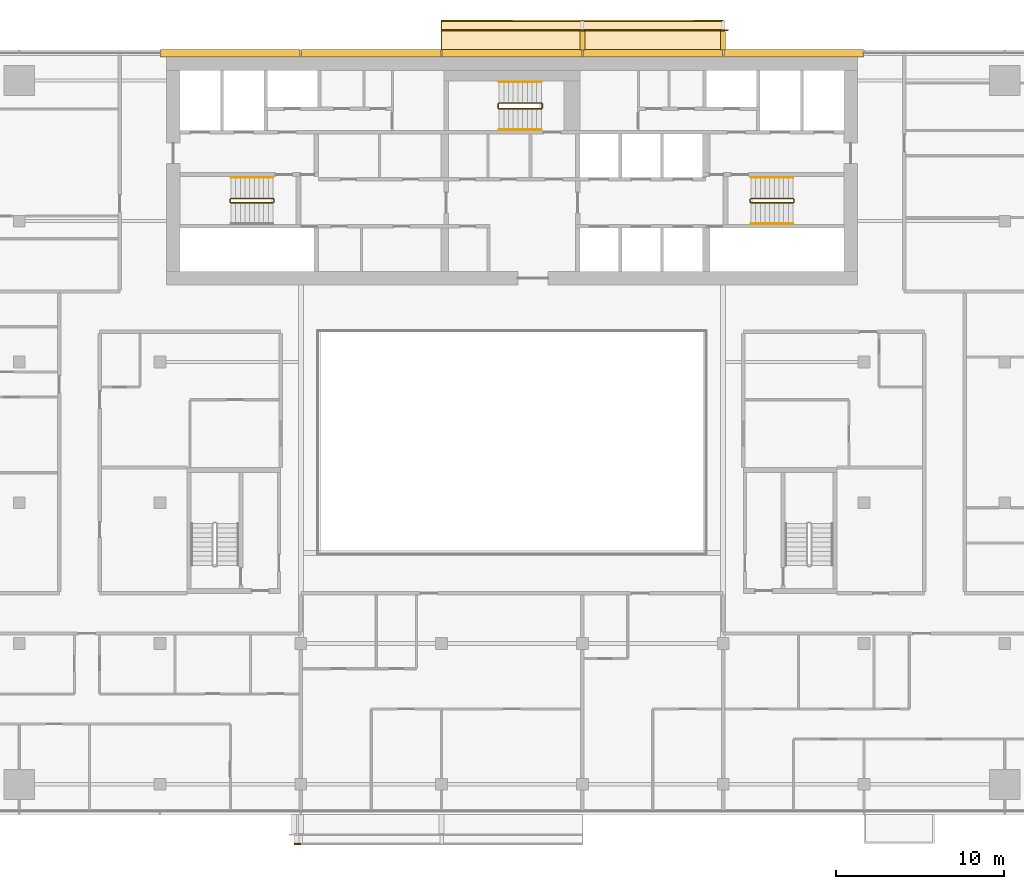
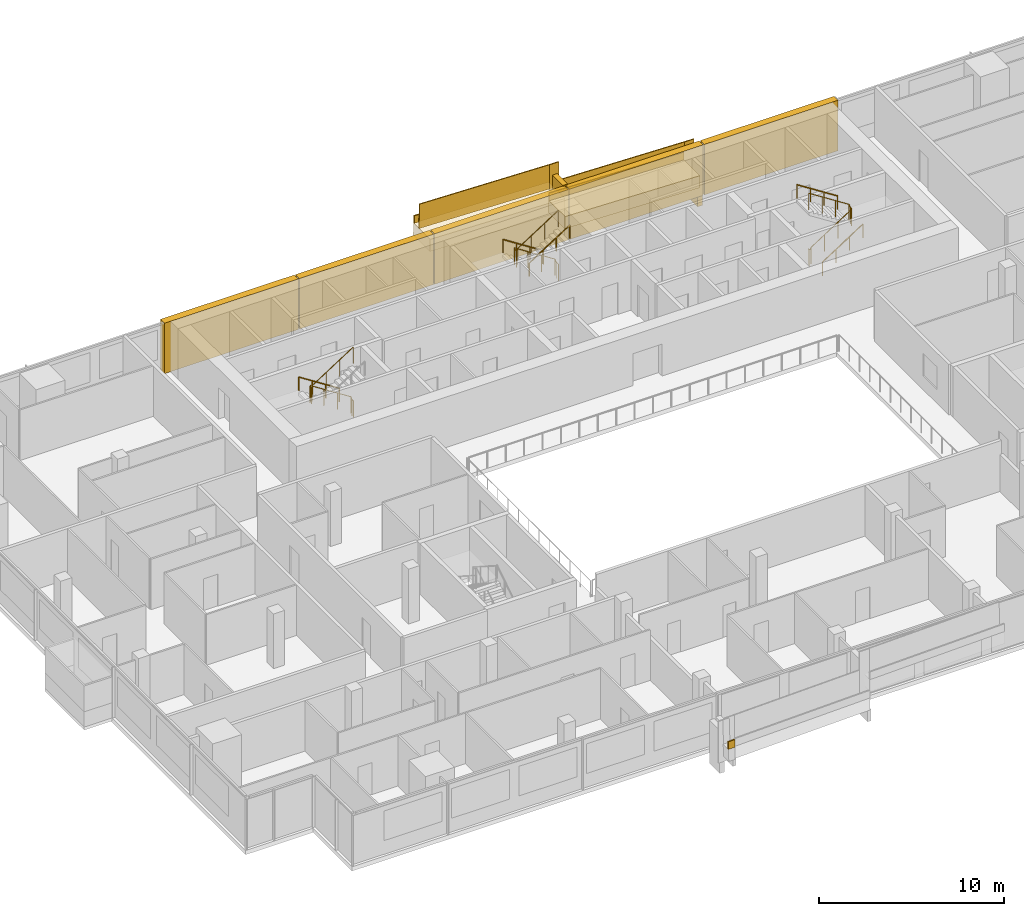
# One storey, part 27 of 27: 12 coverings, 12 railings.
"""IFC4 building model written with IfcOpenShell, lengths in metres."""

from ifc_helpers import new_model, si_unit, direction, frame, origin, origin_2d, place, context, subcontext, project, spatial, polyline, rectangle, circle, outline, extrude, material, layer, layer_set, type_object, element, save


model = new_model("IFC4")

# Units and contexts
model_context = context("Model", 3, precision=1e-05, world=origin(), true_north=direction((0.0, 1.0)))
body_context = subcontext(model_context, "Body", "Model", "MODEL_VIEW")
ifc_project = project(units=[si_unit("LENGTHUNIT", "METRE"), si_unit("AREAUNIT", "SQUARE_METRE"), si_unit("VOLUMEUNIT", "CUBIC_METRE"), si_unit("PLANEANGLEUNIT", "RADIAN"), si_unit("MASSUNIT", "GRAM", prefix="KILO")], contexts=[model_context])

# Site, building, storey
site_placement = place(None, origin())
site = spatial("IfcSite", under=ifc_project, at=site_placement, CompositionType="ELEMENT")
building_placement = place(site_placement, origin())
building = spatial("IfcBuilding", under=site, at=building_placement, Name="Saffron Gate Tower", CompositionType="ELEMENT")
storey_placement = place(building_placement, frame((0.0, 0.0, 172.64990234375)))
storey = spatial("IfcBuildingStorey", under=building, at=storey_placement, Name="L42", CompositionType="ELEMENT", Elevation=172.64990234375)

# Coverings
ifc_material_1 = material(Name="Ceramic-printed bronze insulated panel")
ifc_layer_1 = layer(ifc_material_1, 0.43994140625)
ifc_layer_set_1 = layer_set([ifc_layer_1], Name="CLD3 ceramic-printed cladding panel 440")
covering_type_1 = type_object("IfcCoveringType", Name="CLD3 ceramic-printed cladding panel 440", PredefinedType="CLADDING", material=ifc_layer_set_1)
covering_1_placement = place(storey_placement, origin())
element("IfcCovering", 1, at=covering_1_placement, inside=storey, type_object=covering_type_1, Name="CLADDING ceramic-printed panel", PredefinedType="CLADDING", context=body_context, shape_type="SweptSolid", body=[
    extrude(outline(polyline([(108.56494140625, 75.639892578125), (100.235107421875, 75.639892578125), (100.235107421875, 75.199951171875), (108.56494140625, 75.199951171875), (108.56494140625, 75.639892578125)])), origin(), (0.0, 0.0, 1.0), 3.320068359375),
])
covering_2_placement = place(storey_placement, origin())
element("IfcCovering", 2, at=covering_2_placement, inside=storey, type_object=covering_type_1, Name="CLADDING ceramic-printed panel", PredefinedType="CLADDING", context=body_context, shape_type="SweptSolid", body=[
    extrude(outline(polyline([(100.1650390625, 75.639892578125), (91.8349609375, 75.639892578125), (91.8349609375, 75.199951171875), (100.1650390625, 75.199951171875), (100.1650390625, 75.639892578125)])), origin(), (0.0, 0.0, 1.0), 3.320068359375),
])
covering_3_placement = place(storey_placement, origin())
element("IfcCovering", 3, at=covering_3_placement, inside=storey, type_object=covering_type_1, Name="CLADDING ceramic-printed panel", PredefinedType="CLADDING", context=body_context, shape_type="SweptSolid", body=[
    extrude(outline(polyline([(91.764892578125, 75.639892578125), (83.43505859375, 75.639892578125), (83.43505859375, 75.199951171875), (91.764892578125, 75.199951171875), (91.764892578125, 75.639892578125)])), origin(), (0.0, 0.0, 1.0), 3.320068359375),
])
covering_4_placement = place(storey_placement, origin())
element("IfcCovering", 4, at=covering_4_placement, inside=storey, type_object=covering_type_1, Name="CLADDING ceramic-printed panel", PredefinedType="CLADDING", context=body_context, shape_type="SweptSolid", body=[
    extrude(outline(polyline([(83.364990234375, 75.639892578125), (75.034912109375, 75.639892578125), (75.034912109375, 75.199951171875), (83.364990234375, 75.199951171875), (83.364990234375, 75.639892578125)])), origin(), (0.0, 0.0, 1.0), 3.320068359375),
])
covering_5_placement = place(storey_placement, origin())
element("IfcCovering", 5, at=covering_5_placement, inside=storey, type_object=covering_type_1, Name="CLADDING ceramic-printed panel", PredefinedType="CLADDING", context=body_context, shape_type="SweptSolid", body=[
    extrude(outline(polyline([(74.965087890625, 75.639892578125), (66.635009765625, 75.639892578125), (66.635009765625, 75.199951171875), (74.965087890625, 75.199951171875), (74.965087890625, 75.639892578125)])), origin(), (0.0, 0.0, 1.0), 3.320068359375),
])

# Railings
ifc_material_2 = material(Name="Stainless steel and laminated glass", Category="steel")
railing_type_1 = type_object("IfcRailingType", Name="CR1 Stair guard 1100", PredefinedType="GUARDRAIL", material=ifc_material_2)
railing_1_placement = place(storey_placement, frame((73.39990234375, 66.550048828125, 0.0)))
element("IfcRailing", 6, at=railing_1_placement, inside=storey, type_object=railing_type_1, Name="L42 ST-A stair guard 1", PredefinedType="GUARDRAIL", context=body_context, shape_type="SweptSolid", body=[
    extrude(circle(Radius=0.02392578125, at=origin_2d()), frame((0.0, 0.0, 1.076171875), z_axis=(0.0, 1.0, 0.0), x_axis=(-1.0, 0.0, 0.0)), (0.0, 0.0, 1.0), 0.14990234375),
    extrude(circle(Radius=0.02392578125, at=origin_2d()), frame((0.0, 0.14990234375, 1.076171875), z_axis=(-0.257366384619, 0.258627984543, 0.931060744355), x_axis=(-0.708833529934, -0.705375805398, 0.0)), (0.0, 0.0, 1.0), 0.193603515625),
    extrude(circle(Radius=0.02392578125, at=origin_2d()), frame((-0.0498046875, 0.199951171875, 1.25634765625), z_axis=(-0.841199657755, 0.0, 0.540724639528), x_axis=(0.0, -1.0, 0.0)), (0.0, 0.0, 1.0), 2.995849609375),
    extrude(circle(Radius=0.02392578125, at=origin_2d()), frame((-2.56982421875, 0.199951171875, 2.8759765625), z_axis=(-0.707106781187, -0.707106781187, 0.0), x_axis=(0.707106781187, -0.707106781187, 0.0)), (0.0, 0.0, 1.0), 0.07080078125),
    extrude(circle(Radius=0.02392578125, at=origin_2d()), frame((-2.619873046875, 0.14990234375, 2.8759765625), z_axis=(0.0, -1.0, 0.0), x_axis=(1.0, 0.0, 0.0)), (0.0, 0.0, 1.0), 0.14990234375),
    extrude(circle(Radius=0.02392578125, at=origin_2d()), frame((-2.619873046875, 0.0, 2.8759765625), z_axis=(0.258847668887, -0.258847668887, 0.930588936439), x_axis=(0.707106781187, 0.707106781187, 0.0)), (0.0, 0.0, 1.0), 0.193359375),
    extrude(circle(Radius=0.02392578125, at=origin_2d()), frame((-2.56982421875, -0.050048828125, 3.05615234375), z_axis=(0.841162588446, 0.0, 0.540782303519), x_axis=(0.0, 1.0, 0.0)), (0.0, 0.0, 1.0), 2.995849609375),
    extrude(circle(Radius=0.02099609375, at=origin_2d()), origin(), (0.0, 0.0, 1.0), 1.052001953125),
    extrude(circle(Radius=0.02099609375, at=origin_2d()), frame((0.0, 0.14990234375, 0.0)), (0.0, 0.0, 1.0), 1.052001953125),
    extrude(circle(Radius=0.02099609375, at=origin_2d()), frame((-0.0498046875, 0.199951171875, 0.18017578125)), (0.0, 0.0, 1.0), 1.052001953125),
    extrude(circle(Radius=0.02099609375, at=origin_2d()), frame((-0.889892578125, 0.199951171875, 0.72021484375)), (0.0, 0.0, 1.0), 1.052001953125),
    extrude(circle(Radius=0.02099609375, at=origin_2d()), frame((-1.729736328125, 0.199951171875, 1.260009765625)), (0.0, 0.0, 1.0), 1.052001953125),
    extrude(circle(Radius=0.02099609375, at=origin_2d()), frame((-2.56982421875, 0.199951171875, 1.800048828125)), (0.0, 0.0, 1.0), 1.052001953125),
    extrude(circle(Radius=0.02099609375, at=origin_2d()), frame((-2.619873046875, 0.14990234375, 1.800048828125)), (0.0, 0.0, 1.0), 1.052001953125),
    extrude(circle(Radius=0.02099609375, at=origin_2d()), frame((-2.619873046875, 0.0, 1.800048828125)), (0.0, 0.0, 1.0), 1.052001953125),
    extrude(circle(Radius=0.02099609375, at=origin_2d()), frame((-2.56982421875, -0.050048828125, 1.97998046875)), (0.0, 0.0, 1.0), 1.052001953125),
    extrude(circle(Radius=0.02099609375, at=origin_2d()), frame((-1.729736328125, -0.050048828125, 2.52001953125)), (0.0, 0.0, 1.0), 1.052001953125),
    extrude(circle(Radius=0.02099609375, at=origin_2d()), frame((-0.889892578125, -0.050048828125, 3.06005859375)), (0.0, 0.0, 1.0), 1.052001953125),
    extrude(circle(Radius=0.02099609375, at=origin_2d()), frame((-0.0498046875, -0.050048828125, 3.60009765625)), (0.0, 0.0, 1.0), 1.052001953125),
])
railing_2_placement = place(storey_placement, frame((101.800048828125, 66.699951171875, 0.0)))
element("IfcRailing", 7, at=railing_2_placement, inside=storey, type_object=railing_type_1, Name="L42 ST-B stair guard 1", PredefinedType="GUARDRAIL", context=body_context, shape_type="SweptSolid", body=[
    extrude(circle(Radius=0.02392578125, at=origin_2d()), frame((0.0, 0.0, 1.076171875), z_axis=(0.0, -1.0, 0.0), x_axis=(1.0, 0.0, 0.0)), (0.0, 0.0, 1.0), 0.14990234375),
    extrude(circle(Radius=0.02392578125, at=origin_2d()), frame((0.0, -0.14990234375, 1.076171875), z_axis=(0.258543844998, -0.258543844998, 0.930757841991), x_axis=(0.707106781187, 0.707106781187, 0.0)), (0.0, 0.0, 1.0), 0.193603515625),
    extrude(circle(Radius=0.02392578125, at=origin_2d()), frame((0.050048828125, -0.199951171875, 1.25634765625), z_axis=(0.841199657755, 0.0, 0.540724639528), x_axis=(0.0, 1.0, 0.0)), (0.0, 0.0, 1.0), 2.995849609375),
    extrude(circle(Radius=0.02392578125, at=origin_2d()), frame((2.570068359375, -0.199951171875, 2.8759765625), z_axis=(0.705375805398, 0.708833529934, 0.0), x_axis=(-0.708833529934, 0.705375805398, 0.0)), (0.0, 0.0, 1.0), 0.070556640625),
    extrude(circle(Radius=0.02392578125, at=origin_2d()), frame((2.619873046875, -0.14990234375, 2.8759765625), z_axis=(0.0, 1.0, 0.0), x_axis=(-1.0, 0.0, 0.0)), (0.0, 0.0, 1.0), 0.14990234375),
    extrude(circle(Radius=0.02392578125, at=origin_2d()), frame((2.619873046875, 0.0, 2.8759765625), z_axis=(-0.257669022063, 0.258932105505, 0.930892496375), x_axis=(-0.708833529934, -0.705375805398, 0.0)), (0.0, 0.0, 1.0), 0.193359375),
    extrude(circle(Radius=0.02392578125, at=origin_2d()), frame((2.570068359375, 0.050048828125, 3.05615234375), z_axis=(-0.841162588446, 0.0, 0.540782303519), x_axis=(0.0, -1.0, 0.0)), (0.0, 0.0, 1.0), 2.995849609375),
    extrude(circle(Radius=0.02099609375, at=origin_2d()), origin(), (0.0, 0.0, 1.0), 1.052001953125),
    extrude(circle(Radius=0.02099609375, at=origin_2d()), frame((0.0, -0.14990234375, 0.0)), (0.0, 0.0, 1.0), 1.052001953125),
    extrude(circle(Radius=0.02099609375, at=origin_2d()), frame((0.050048828125, -0.199951171875, 0.18017578125)), (0.0, 0.0, 1.0), 1.052001953125),
    extrude(circle(Radius=0.02099609375, at=origin_2d()), frame((0.89013671875, -0.199951171875, 0.72021484375)), (0.0, 0.0, 1.0), 1.052001953125),
    extrude(circle(Radius=0.02099609375, at=origin_2d()), frame((1.72998046875, -0.199951171875, 1.260009765625)), (0.0, 0.0, 1.0), 1.052001953125),
    extrude(circle(Radius=0.02099609375, at=origin_2d()), frame((2.570068359375, -0.199951171875, 1.800048828125)), (0.0, 0.0, 1.0), 1.052001953125),
    extrude(circle(Radius=0.02099609375, at=origin_2d()), frame((2.619873046875, -0.14990234375, 1.800048828125)), (0.0, 0.0, 1.0), 1.052001953125),
    extrude(circle(Radius=0.02099609375, at=origin_2d()), frame((2.619873046875, 0.0, 1.800048828125)), (0.0, 0.0, 1.0), 1.052001953125),
    extrude(circle(Radius=0.02099609375, at=origin_2d()), frame((2.570068359375, 0.050048828125, 1.97998046875)), (0.0, 0.0, 1.0), 1.052001953125),
    extrude(circle(Radius=0.02099609375, at=origin_2d()), frame((1.72998046875, 0.050048828125, 2.52001953125)), (0.0, 0.0, 1.0), 1.052001953125),
    extrude(circle(Radius=0.02099609375, at=origin_2d()), frame((0.89013671875, 0.050048828125, 3.06005859375)), (0.0, 0.0, 1.0), 1.052001953125),
    extrude(circle(Radius=0.02099609375, at=origin_2d()), frame((0.050048828125, 0.050048828125, 3.60009765625)), (0.0, 0.0, 1.0), 1.052001953125),
])
railing_3_placement = place(storey_placement, frame((89.39990234375, 72.14990234375, 0.0)))
element("IfcRailing", 8, at=railing_3_placement, inside=storey, type_object=railing_type_1, Name="L42 ST-C stair guard 1", PredefinedType="GUARDRAIL", context=body_context, shape_type="SweptSolid", body=[
    extrude(circle(Radius=0.02392578125, at=origin_2d()), frame((0.0, 0.0, 1.076171875), z_axis=(0.0, 1.0, 0.0), x_axis=(-1.0, 0.0, 0.0)), (0.0, 0.0, 1.0), 0.25),
    extrude(circle(Radius=0.02392578125, at=origin_2d()), frame((0.0, 0.25, 1.076171875), z_axis=(-0.257366384619, 0.258627984543, 0.931060744355), x_axis=(-0.708833529934, -0.705375805398, 0.0)), (0.0, 0.0, 1.0), 0.193603515625),
    extrude(circle(Radius=0.02392578125, at=origin_2d()), frame((-0.0498046875, 0.300048828125, 1.25634765625), z_axis=(-0.841199657755, 0.0, 0.540724639528), x_axis=(0.0, -1.0, 0.0)), (0.0, 0.0, 1.0), 2.995849609375),
    extrude(circle(Radius=0.02392578125, at=origin_2d()), frame((-2.56982421875, 0.300048828125, 2.8759765625), z_axis=(-0.707106781187, -0.707106781187, 0.0), x_axis=(0.707106781187, -0.707106781187, 0.0)), (0.0, 0.0, 1.0), 0.07080078125),
    extrude(circle(Radius=0.02392578125, at=origin_2d()), frame((-2.619873046875, 0.25, 2.8759765625), z_axis=(0.0, -1.0, 0.0), x_axis=(1.0, 0.0, 0.0)), (0.0, 0.0, 1.0), 0.25),
    extrude(circle(Radius=0.02392578125, at=origin_2d()), frame((-2.619873046875, 0.0, 2.8759765625), z_axis=(0.258932105505, -0.257669022063, 0.930892496375), x_axis=(0.705375805398, 0.708833529934, 0.0)), (0.0, 0.0, 1.0), 0.193359375),
    extrude(circle(Radius=0.02392578125, at=origin_2d()), frame((-2.56982421875, -0.0498046875, 3.05615234375), z_axis=(0.841162588446, 0.0, 0.540782303519), x_axis=(0.0, 1.0, 0.0)), (0.0, 0.0, 1.0), 2.995849609375),
    extrude(circle(Radius=0.02099609375, at=origin_2d()), origin(), (0.0, 0.0, 1.0), 1.052001953125),
    extrude(circle(Radius=0.02099609375, at=origin_2d()), frame((0.0, 0.25, 0.0)), (0.0, 0.0, 1.0), 1.052001953125),
    extrude(circle(Radius=0.02099609375, at=origin_2d()), frame((-0.0498046875, 0.300048828125, 0.18017578125)), (0.0, 0.0, 1.0), 1.052001953125),
    extrude(circle(Radius=0.02099609375, at=origin_2d()), frame((-0.889892578125, 0.300048828125, 0.72021484375)), (0.0, 0.0, 1.0), 1.052001953125),
    extrude(circle(Radius=0.02099609375, at=origin_2d()), frame((-1.729736328125, 0.300048828125, 1.260009765625)), (0.0, 0.0, 1.0), 1.052001953125),
    extrude(circle(Radius=0.02099609375, at=origin_2d()), frame((-2.56982421875, 0.300048828125, 1.800048828125)), (0.0, 0.0, 1.0), 1.052001953125),
    extrude(circle(Radius=0.02099609375, at=origin_2d()), frame((-2.619873046875, 0.25, 1.800048828125)), (0.0, 0.0, 1.0), 1.052001953125),
    extrude(circle(Radius=0.02099609375, at=origin_2d()), frame((-2.619873046875, 0.0, 1.800048828125)), (0.0, 0.0, 1.0), 1.052001953125),
    extrude(circle(Radius=0.02099609375, at=origin_2d()), frame((-2.56982421875, -0.0498046875, 1.97998046875)), (0.0, 0.0, 1.0), 1.052001953125),
    extrude(circle(Radius=0.02099609375, at=origin_2d()), frame((-1.729736328125, -0.0498046875, 2.52001953125)), (0.0, 0.0, 1.0), 1.052001953125),
    extrude(circle(Radius=0.02099609375, at=origin_2d()), frame((-0.889892578125, -0.0498046875, 3.06005859375)), (0.0, 0.0, 1.0), 1.052001953125),
    extrude(circle(Radius=0.02099609375, at=origin_2d()), frame((-0.0498046875, -0.0498046875, 3.60009765625)), (0.0, 0.0, 1.0), 1.052001953125),
])
ifc_material_3 = material(Name="Stainless steel", Category="steel")
railing_type_2 = type_object("IfcRailingType", Name="CR2 Stair handrail 900", PredefinedType="HANDRAIL", material=ifc_material_3)
railing_4_placement = place(storey_placement, frame((73.35009765625, 68.0, 0.18017578125)))
element("IfcRailing", 9, at=railing_4_placement, inside=storey, type_object=railing_type_2, Name="L42 ST-A stair handrail 1", PredefinedType="HANDRAIL", context=body_context, shape_type="SweptSolid", body=[
    extrude(circle(Radius=0.02392578125, at=origin_2d()), frame((0.0, 0.0, 0.8759765625), z_axis=(-0.841199657755, 0.0, 0.540724639528), x_axis=(0.0, -1.0, 0.0)), (0.0, 0.0, 1.0), 2.995849609375),
    extrude(circle(Radius=0.02099609375, at=origin_2d()), origin(), (0.0, 0.0, 1.0), 0.851806640625),
    extrude(circle(Radius=0.02099609375, at=origin_2d()), frame((-0.840087890625, 0.0, 0.5400390625)), (0.0, 0.0, 1.0), 0.851806640625),
    extrude(circle(Radius=0.02099609375, at=origin_2d()), frame((-1.679931640625, 0.0, 1.079833984375)), (0.0, 0.0, 1.0), 0.851806640625),
    extrude(circle(Radius=0.02099609375, at=origin_2d()), frame((-2.52001953125, 0.0, 1.619873046875)), (0.0, 0.0, 1.0), 0.851806640625),
])
railing_5_placement = place(storey_placement, frame((101.85009765625, 65.25, 0.18017578125)))
element("IfcRailing", 10, at=railing_5_placement, inside=storey, type_object=railing_type_2, Name="L42 ST-B stair handrail 1", PredefinedType="HANDRAIL", context=body_context, shape_type="SweptSolid", body=[
    extrude(circle(Radius=0.02392578125, at=origin_2d()), frame((0.0, 0.0, 0.8759765625), z_axis=(0.841199657755, 0.0, 0.540724639528), x_axis=(0.0, 1.0, 0.0)), (0.0, 0.0, 1.0), 2.995849609375),
    extrude(circle(Radius=0.02099609375, at=origin_2d()), origin(), (0.0, 0.0, 1.0), 0.851806640625),
    extrude(circle(Radius=0.02099609375, at=origin_2d()), frame((0.840087890625, 0.0, 0.5400390625)), (0.0, 0.0, 1.0), 0.851806640625),
    extrude(circle(Radius=0.02099609375, at=origin_2d()), frame((1.679931640625, 0.0, 1.079833984375)), (0.0, 0.0, 1.0), 0.851806640625),
    extrude(circle(Radius=0.02099609375, at=origin_2d()), frame((2.52001953125, 0.0, 1.619873046875)), (0.0, 0.0, 1.0), 0.851806640625),
])
railing_6_placement = place(storey_placement, frame((104.3701171875, 68.0, 1.97998046875)))
element("IfcRailing", 11, at=railing_6_placement, inside=storey, type_object=railing_type_2, Name="L42 ST-B stair handrail 2", PredefinedType="HANDRAIL", context=body_context, shape_type="SweptSolid", body=[
    extrude(circle(Radius=0.02392578125, at=origin_2d()), frame((0.0, 0.0, 0.8759765625), z_axis=(-0.841162588446, 0.0, 0.540782303519), x_axis=(0.0, -1.0, 0.0)), (0.0, 0.0, 1.0), 2.995849609375),
    extrude(circle(Radius=0.02099609375, at=origin_2d()), origin(), (0.0, 0.0, 1.0), 0.851806640625),
    extrude(circle(Radius=0.02099609375, at=origin_2d()), frame((-0.840087890625, 0.0, 0.5400390625)), (0.0, 0.0, 1.0), 0.851806640625),
    extrude(circle(Radius=0.02099609375, at=origin_2d()), frame((-1.679931640625, 0.0, 1.080078125)), (0.0, 0.0, 1.0), 0.851806640625),
    extrude(circle(Radius=0.02099609375, at=origin_2d()), frame((-2.52001953125, 0.0, 1.6201171875)), (0.0, 0.0, 1.0), 0.851806640625),
])
railing_7_placement = place(storey_placement, frame((89.35009765625, 73.699951171875, 0.18017578125)))
element("IfcRailing", 12, at=railing_7_placement, inside=storey, type_object=railing_type_2, Name="L42 ST-C stair handrail 1", PredefinedType="HANDRAIL", context=body_context, shape_type="SweptSolid", body=[
    extrude(circle(Radius=0.02392578125, at=origin_2d()), frame((0.0, 0.0, 0.8759765625), z_axis=(-0.841199657755, 0.0, 0.540724639528), x_axis=(0.0, -1.0, 0.0)), (0.0, 0.0, 1.0), 2.995849609375),
    extrude(circle(Radius=0.02099609375, at=origin_2d()), origin(), (0.0, 0.0, 1.0), 0.851806640625),
    extrude(circle(Radius=0.02099609375, at=origin_2d()), frame((-0.840087890625, 0.0, 0.5400390625)), (0.0, 0.0, 1.0), 0.851806640625),
    extrude(circle(Radius=0.02099609375, at=origin_2d()), frame((-1.679931640625, 0.0, 1.079833984375)), (0.0, 0.0, 1.0), 0.851806640625),
    extrude(circle(Radius=0.02099609375, at=origin_2d()), frame((-2.52001953125, 0.0, 1.619873046875)), (0.0, 0.0, 1.0), 0.851806640625),
])
railing_8_placement = place(storey_placement, frame((86.830078125, 70.85009765625, 1.97998046875)))
element("IfcRailing", 13, at=railing_8_placement, inside=storey, type_object=railing_type_2, Name="L42 ST-C stair handrail 2", PredefinedType="HANDRAIL", context=body_context, shape_type="SweptSolid", body=[
    extrude(circle(Radius=0.02392578125, at=origin_2d()), frame((0.0, 0.0, 0.8759765625), z_axis=(0.841162588446, 0.0, 0.540782303519), x_axis=(0.0, 1.0, 0.0)), (0.0, 0.0, 1.0), 2.995849609375),
    extrude(circle(Radius=0.02099609375, at=origin_2d()), origin(), (0.0, 0.0, 1.0), 0.851806640625),
    extrude(circle(Radius=0.02099609375, at=origin_2d()), frame((0.840087890625, 0.0, 0.5400390625)), (0.0, 0.0, 1.0), 0.851806640625),
    extrude(circle(Radius=0.02099609375, at=origin_2d()), frame((1.679931640625, 0.0, 1.080078125)), (0.0, 0.0, 1.0), 0.851806640625),
    extrude(circle(Radius=0.02099609375, at=origin_2d()), frame((2.52001953125, 0.0, 1.6201171875)), (0.0, 0.0, 1.0), 0.851806640625),
])

# Coverings
ifc_material_4 = material(Name="Timber, thermally modified ash", Category="wood")
ifc_layer_2 = layer(ifc_material_4, 0.800048828125)
ifc_layer_set_2 = layer_set([ifc_layer_2], Name="LD1 ledge timber")
covering_type_2 = type_object("IfcCoveringType", Name="LD1 ledge timber", PredefinedType="CLADDING", material=ifc_layer_set_2)
covering_6_placement = place(storey_placement, frame((100.199951171875, 75.60009765625, 1.0439453125), z_axis=(0.028791175352, 0.0, 0.999585448184), x_axis=(-0.999585448184, 0.0, 0.028791175352)))
element("IfcCovering", 14, at=covering_6_placement, inside=storey, type_object=covering_type_2, Name="LEDGE", PredefinedType="CLADDING", context=body_context, shape_type="SweptSolid", body=[
    extrude(outline(polyline([(0.0, 0.0), (8.403385982666892, 0.0), (8.403385982666892, -1.7998046875), (0.0, -1.7998046875), (0.0, 0.0)])), origin(), (0.0, 0.0, -1.0), 0.800048828125),
])
covering_7_placement = place(storey_placement, frame((91.800048828125, 75.60009765625, 2.486328125), z_axis=(0.028790339263, 0.0, 0.999585472266), x_axis=(-0.999585472266, 0.0, 0.028790339263)))
element("IfcCovering", 15, at=covering_7_placement, inside=storey, type_object=covering_type_2, Name="LEDGE", PredefinedType="CLADDING", context=body_context, shape_type="SweptSolid", body=[
    extrude(outline(polyline([(0.0, 0.0), (8.403630022085892, 0.0), (8.403630022085892, -1.7998046875), (0.0, -1.7998046875), (0.0, 0.0)])), origin(), (0.0, 0.0, -1.0), 0.800048828125),
])
ifc_layer_3 = layer(ifc_material_4, 0.080078125)
ifc_layer_set_3 = layer_set([ifc_layer_3], Name="LD2 ledge planter trough")
covering_type_3 = type_object("IfcCoveringType", Name="LD2 ledge planter trough", PredefinedType="CLADDING", material=ifc_layer_set_3)
covering_8_placement = place(storey_placement, frame((100.199951171875, 77.39990234375, 1.0439453125), z_axis=(0.0, 1.0, 0.0), x_axis=(-0.999585448184, 0.0, 0.028791175352)))
element("IfcCovering", 16, at=covering_8_placement, inside=storey, type_object=covering_type_3, Name="LEDGE planter trough", PredefinedType="CLADDING", context=body_context, shape_type="SweptSolid", body=[
    extrude(outline(polyline([(0.0, 0.0), (8.403385982666892, 0.0), (8.417781570342743, 0.49979272409216496), (0.014395587675851172, 0.4997927240921649), (0.0, 0.0)])), origin(), (0.0, 0.0, -1.0), 0.080078125),
])
covering_9_placement = place(storey_placement, frame((91.800048828125, 77.39990234375, 2.486328125), z_axis=(0.0, 1.0, 0.0), x_axis=(-0.999585472266, 0.0, 0.028790339263)))
element("IfcCovering", 17, at=covering_9_placement, inside=storey, type_object=covering_type_3, Name="LEDGE planter trough", PredefinedType="CLADDING", context=body_context, shape_type="SweptSolid", body=[
    extrude(outline(polyline([(0.0, 0.0), (8.403630022085892, 0.0), (8.418025191717298, 0.4997927361329725), (0.014395169631405694, 0.4997927361329725), (0.0, 0.0)])), origin(), (0.0, 0.0, -1.0), 0.080078125),
])
covering_10_placement = place(storey_placement, frame((74.60009765625, 28.199951171875, 0.975341796875), z_axis=(0.0, -1.0, 0.0), x_axis=(0.999588594726, 0.0, 0.028681724025)))
element("IfcCovering", 18, at=covering_10_placement, inside=storey, type_object=covering_type_3, Name="LEDGE planter trough", PredefinedType="CLADDING", context=body_context, shape_type="SweptSolid", body=[
    extrude(outline(polyline([(0.0, 0.0), (0.40006693339621563, 0.0), (0.4144077954084678, 0.4997942973631708), (0.014340862012252152, 0.49979429736317077), (0.0, 0.0)])), origin(), (0.0, 0.0, -1.0), 0.080078125),
])
ifc_layer_4 = layer(ifc_material_4, 0.300048828125)
ifc_layer_set_4 = layer_set([ifc_layer_4], Name="LD3 ledge riser fin")
covering_type_4 = type_object("IfcCoveringType", Name="LD3 ledge riser fin", PredefinedType="CLADDING", material=ifc_layer_set_4)
for number, where, z_axis, x_axis, name in (
    (19, (100.199951171875, 76.159912109375, -0.956298828125), (0.0, 0.0, 1.0), (-1.0, 0.0, 0.0), "LEDGE riser fin"),
    (20, (91.800048828125, 76.159912109375, 0.486083984375), (0.0, 0.0, 1.0), (-1.0, 0.0, 0.0), "LEDGE riser fin"),
):
    element("IfcCovering", number, at=place(storey_placement, frame(where, z_axis=z_axis, x_axis=x_axis)), inside=storey, type_object=covering_type_4, Name=name, PredefinedType="CLADDING", context=body_context, shape_type="SweptSolid", body=[
        extrude(rectangle(XDim=0.300048828125, YDim=1.1201171875, at=origin_2d()), origin(), (0.0, 0.0, 1.0), 2.900390625),
    ])

# Railings
railing_type_3 = type_object("IfcRailingType", Name="LG1 ledge balustrade", PredefinedType="BALUSTRADE", material=ifc_material_4)
railing_9_placement = place(storey_placement, frame((100.199951171875, 76.800048828125, 1.0439453125)))
element("IfcRailing", 21, at=railing_9_placement, inside=storey, type_object=railing_type_3, Name="LEDGE BALUSTRADE", PredefinedType="BALUSTRADE", context=body_context, shape_type="SweptSolid", body=[
    extrude(rectangle(XDim=0.06005859375, YDim=1.60009765625, at=origin_2d()), frame((0.0, 0.0, 0.800048828125), z_axis=(-0.999585448184, 0.0, 0.028791175352), x_axis=(0.0, -1.0, 0.0)), (0.0, 0.0, 1.0), 8.4033203125),
])
railing_10_placement = place(storey_placement, frame((100.5, 76.800048828125, -0.15625)))
element("IfcRailing", 22, at=railing_10_placement, inside=storey, type_object=railing_type_3, Name="LEDGE BALUSTRADE", PredefinedType="BALUSTRADE", context=body_context, shape_type="SweptSolid", body=[
    extrude(rectangle(XDim=0.06005859375, YDim=2.80029296875, at=origin_2d()), frame((0.0, 0.0, 1.400146484375), z_axis=(-1.0, 0.0, 0.0), x_axis=(0.0, -1.0, 0.0)), (0.0, 0.0, 1.0), 0.60009765625),
])
railing_11_placement = place(storey_placement, frame((91.800048828125, 76.800048828125, 2.486328125)))
element("IfcRailing", 23, at=railing_11_placement, inside=storey, type_object=railing_type_3, Name="LEDGE BALUSTRADE", PredefinedType="BALUSTRADE", context=body_context, shape_type="SweptSolid", body=[
    extrude(rectangle(XDim=0.06005859375, YDim=1.60009765625, at=origin_2d()), frame((0.0, 0.0, 0.800048828125), z_axis=(-0.999585472266, 0.0, 0.028790339263), x_axis=(0.0, -1.0, 0.0)), (0.0, 0.0, 1.0), 8.403564453125),
])
railing_12_placement = place(storey_placement, frame((92.10009765625, 76.800048828125, 1.285888671875)))
element("IfcRailing", 24, at=railing_12_placement, inside=storey, type_object=railing_type_3, Name="LEDGE BALUSTRADE", PredefinedType="BALUSTRADE", context=body_context, shape_type="SweptSolid", body=[
    extrude(rectangle(XDim=0.06005859375, YDim=2.80029296875, at=origin_2d()), frame((0.0, 0.0, 1.400146484375), z_axis=(-1.0, 0.0, 0.0), x_axis=(0.0, -1.0, 0.0)), (0.0, 0.0, 1.0), 0.60009765625),
])

save(model, "model.ifc")
